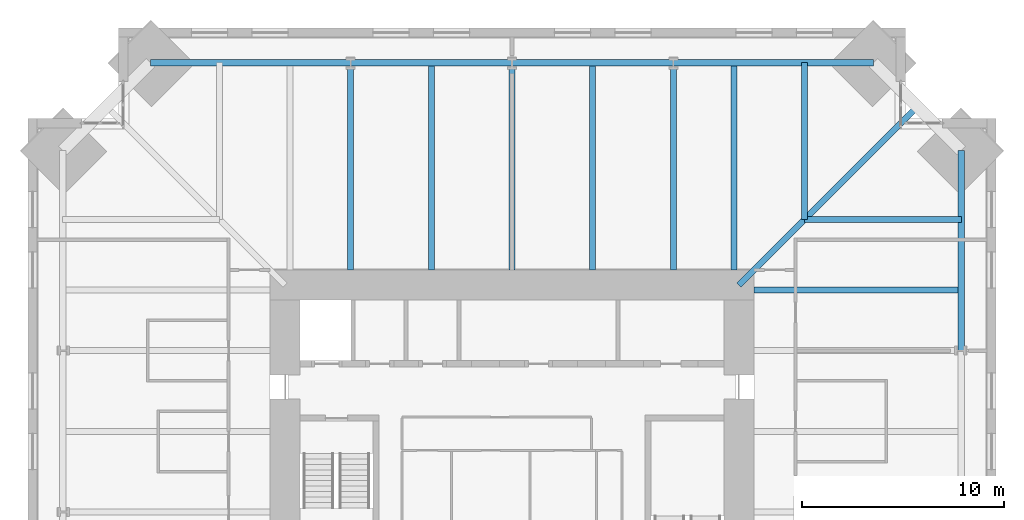
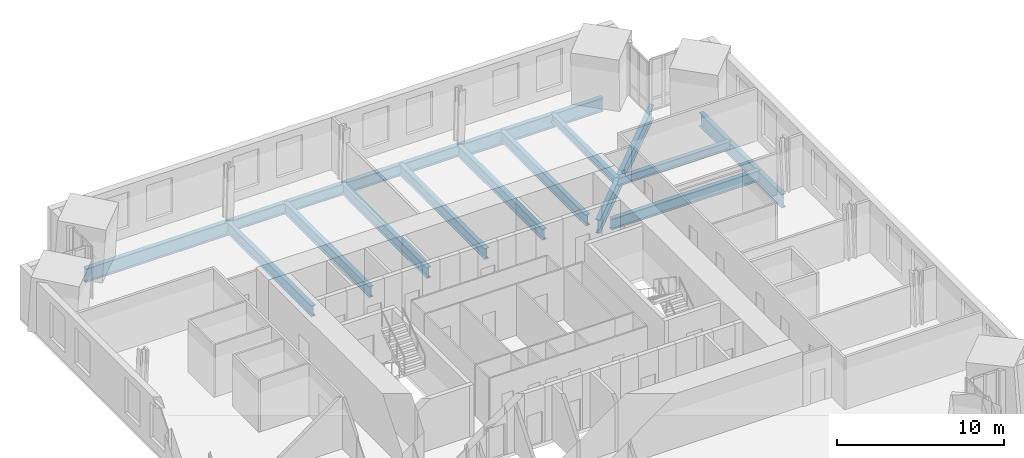
# One storey, part 7 of 15: 15 beams.
"""IFC4 building model written with IfcOpenShell, lengths in metres."""

from ifc_helpers import new_model, si_unit, direction, frame, origin, origin_2d, place, context, subcontext, project, spatial, i_section, extrude, material, material_profile, profile_set, type_object, element, save


model = new_model("IFC4")

# Units and contexts
model_context = context("Model", 3, precision=1e-05, world=origin(), true_north=direction((0.0, 1.0)))
body_context = subcontext(model_context, "Body", "Model", "MODEL_VIEW")
ifc_project = project(units=[si_unit("LENGTHUNIT", "METRE"), si_unit("AREAUNIT", "SQUARE_METRE"), si_unit("VOLUMEUNIT", "CUBIC_METRE"), si_unit("PLANEANGLEUNIT", "RADIAN"), si_unit("MASSUNIT", "GRAM", prefix="KILO")], contexts=[model_context])

# Site, building, storey
site_placement = place(None, origin())
site = spatial("IfcSite", under=ifc_project, at=site_placement, CompositionType="ELEMENT")
building_placement = place(site_placement, origin())
building = spatial("IfcBuilding", under=site, at=building_placement, Name="Peilmerk Tower", CompositionType="ELEMENT")
storey_placement = place(building_placement, frame((0.0, 0.0, 213.800048828125)))
storey = spatial("IfcBuildingStorey", under=building, at=storey_placement, Name="L46", CompositionType="ELEMENT", Elevation=213.800048828125)

# Beams
ifc_material = material(Name="Steel S355", Category="steel")
ifc_material_profile_1 = material_profile(ifc_material, i_section(OverallWidth=0.302001953125, OverallDepth=1.008056640625, WebThickness=0.02099609375, FlangeThickness=0.0400390625, at=origin_2d()), Name="HEM 1000")
ifc_profile_set_1 = profile_set([ifc_material_profile_1], Name="Steel S355")
beam_type_1 = type_object("IfcBeamType", Name="B1 HEM 1000 edge beam", PredefinedType="SPANDREL", material=ifc_profile_set_1)
for number, where, z_axis, x_axis, name in (
    (1, (17.92578125, 22.27587890625, -0.674072265625), (-1.0, 0.0, 0.0), (0.0, -1.0, 0.0), "Edge beam L46"),
    (2, (-8.0, 22.27587890625, -0.674072265625), (-1.0, 0.0, 0.0), (0.0, -1.0, 0.0), "Edge beam L46"),
    (3, (22.27587890625, 8.0, -0.674072265625), (0.0, 1.0, 0.0), (-1.0, 0.0, 0.0), "Edge beam L46"),
):
    element("IfcBeam", number, at=place(storey_placement, frame(where, z_axis=z_axis, x_axis=x_axis)), inside=storey, type_object=beam_type_1, Name=name, PredefinedType="SPANDREL", context=body_context, shape_type="SweptSolid", body=[
        extrude(i_section(OverallWidth=0.302001953125, OverallDepth=1.008056640625, WebThickness=0.02099609375, FlangeThickness=0.0400390625, at=origin_2d()), origin(), (0.0, 0.0, 1.0), 9.92578125),
    ])
ifc_material_profile_2 = material_profile(ifc_material, i_section(OverallWidth=0.302978515625, OverallDepth=0.81396484375, WebThickness=0.02099609375, FlangeThickness=0.0400390625, at=origin_2d()), Name="HEM 800")
ifc_profile_set_2 = profile_set([ifc_material_profile_2], Name="Steel S355")
beam_type_2 = type_object("IfcBeamType", Name="B15 HEM 800 edge beam", PredefinedType="SPANDREL", material=ifc_profile_set_2)
for number, where, z_axis, x_axis, name in (
    (4, (8.0, 22.27587890625, -0.5771484375), (-1.0, 0.0, 0.0), (0.0, -1.0, 0.0), "Edge beam L46"),
    (5, (0.0, 22.27587890625, -0.5771484375), (-1.0, 0.0, 0.0), (0.0, -1.0, 0.0), "Edge beam L46"),
):
    element("IfcBeam", number, at=place(storey_placement, frame(where, z_axis=z_axis, x_axis=x_axis)), inside=storey, type_object=beam_type_2, Name=name, PredefinedType="SPANDREL", context=body_context, shape_type="SweptSolid", body=[
        extrude(i_section(OverallWidth=0.302978515625, OverallDepth=0.81396484375, WebThickness=0.02099609375, FlangeThickness=0.0400390625, at=origin_2d()), origin(), (0.0, 0.0, 1.0), 8.0),
    ])
ifc_material_profile_3 = material_profile(ifc_material, i_section(OverallWidth=0.302001953125, OverallDepth=1.008056640625, WebThickness=0.02099609375, FlangeThickness=0.0400390625, at=origin_2d()), Name="HEM 1000")
ifc_profile_set_3 = profile_set([ifc_material_profile_3], Name="Steel S355")
beam_type_3 = type_object("IfcBeamType", Name="B24 HEM 1000 floor girder", PredefinedType="BEAM", material=ifc_profile_set_3)
beam_placement = place(storey_placement, frame((11.25, 11.25, -0.674072265625), z_axis=(0.707106781187, 0.707106781187, 0.0), x_axis=(-0.707106781187, 0.707106781187, 0.0)))
element("IfcBeam", 6, at=beam_placement, inside=storey, type_object=beam_type_3, Name="Corner girder L46", PredefinedType="BEAM", context=body_context, shape_type="SweptSolid", body=[
    extrude(i_section(OverallWidth=0.302001953125, OverallDepth=1.008056640625, WebThickness=0.02099609375, FlangeThickness=0.0400390625, at=origin_2d()), origin(), (0.0, 0.0, 1.0), 12.516845703125),
])
ifc_material_profile_4 = material_profile(ifc_material, i_section(OverallWidth=0.300048828125, OverallDepth=0.590087890625, WebThickness=0.012939453125, FlangeThickness=0.02490234375, at=origin_2d()), Name="HEA 600")
ifc_profile_set_4 = profile_set([ifc_material_profile_4], Name="Steel S355")
beam_type_4 = type_object("IfcBeamType", Name="B27 HEA 600 floor beam", PredefinedType="BEAM", material=ifc_profile_set_4)
for number, where, z_axis, x_axis, name in (
    (7, (14.5, 14.5, -0.465087890625), (0.0, 1.0, 0.0), (-1.0, 0.0, 0.0), "Floor beam L46"),
    (8, (14.5, 14.5, -0.465087890625), (1.0, 0.0, 0.0), (0.0, 1.0, 0.0), "Floor beam L46"),
):
    element("IfcBeam", number, at=place(storey_placement, frame(where, z_axis=z_axis, x_axis=x_axis)), inside=storey, type_object=beam_type_4, Name=name, PredefinedType="BEAM", context=body_context, shape_type="SweptSolid", body=[
        extrude(i_section(OverallWidth=0.300048828125, OverallDepth=0.590087890625, WebThickness=0.012939453125, FlangeThickness=0.02490234375, at=origin_2d()), origin(), (0.0, 0.0, 1.0), 7.77587890625),
    ])
ifc_material_profile_5 = material_profile(ifc_material, i_section(OverallWidth=0.300048828125, OverallDepth=0.7900390625, WebThickness=0.014892578125, FlangeThickness=0.028076171875, at=origin_2d()), Name="HEA 800")
ifc_profile_set_5 = profile_set([ifc_material_profile_5], Name="Steel S355")
beam_type_5 = type_object("IfcBeamType", Name="B3 HEA 800 floor beam", PredefinedType="BEAM", material=ifc_profile_set_5)
for number, where, z_axis, x_axis, name in (
    (9, (11.0, 12.0, -0.56494140625), (0.0, 1.0, 0.0), (-1.0, 0.0, 0.0), "Floor beam L46"),
    (10, (8.0, 12.0, -0.56494140625), (0.0, 1.0, 0.0), (-1.0, 0.0, 0.0), "Floor beam L46"),
    (11, (4.0, 12.0, -0.56494140625), (0.0, 1.0, 0.0), (-1.0, 0.0, 0.0), "Floor beam L46"),
    (12, (0.0, 12.0, -0.56494140625), (0.0, 1.0, 0.0), (-1.0, 0.0, 0.0), "Floor beam L46"),
    (13, (-4.0, 12.0, -0.56494140625), (0.0, 1.0, 0.0), (-1.0, 0.0, 0.0), "Floor beam L46"),
    (14, (-8.0, 12.0, -0.56494140625), (0.0, 1.0, 0.0), (-1.0, 0.0, 0.0), "Floor beam L46"),
    (15, (12.0, 11.0, -0.56494140625), (1.0, 0.0, 0.0), (0.0, 1.0, 0.0), "Floor beam L46"),
):
    element("IfcBeam", number, at=place(storey_placement, frame(where, z_axis=z_axis, x_axis=x_axis)), inside=storey, type_object=beam_type_5, Name=name, PredefinedType="BEAM", context=body_context, shape_type="SweptSolid", body=[
        extrude(i_section(OverallWidth=0.300048828125, OverallDepth=0.7900390625, WebThickness=0.014892578125, FlangeThickness=0.028076171875, at=origin_2d()), origin(), (0.0, 0.0, 1.0), 10.27587890625),
    ])

save(model, "model.ifc")
